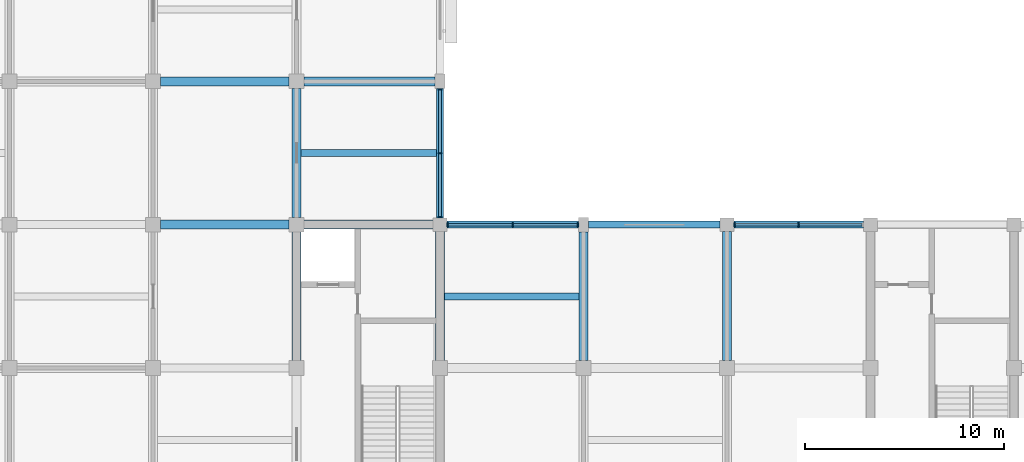
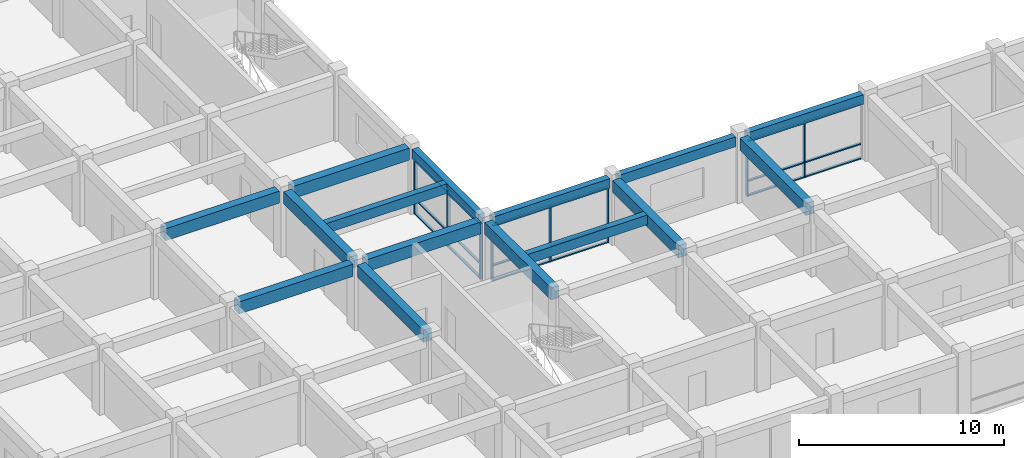
# One storey, part 8 of 31: 26 members, 15 beams, 3 elements without a shape of their own.
"""IFC4 building model written with IfcOpenShell, lengths in metres."""

from ifc_helpers import new_model, si_unit, direction, frame, origin, origin_2d, place, context, subcontext, project, spatial, rectangle, extrude, material, layer, layer_set, material_profile, profile_set, type_object, element, aggregate, save


model = new_model("IFC4")

# Units and contexts
model_context = context("Model", 3, precision=1e-05, world=origin(), true_north=direction((0.0, 1.0)))
body_context = subcontext(model_context, "Body", "Model", "MODEL_VIEW")
ifc_project = project(units=[si_unit("LENGTHUNIT", "METRE"), si_unit("AREAUNIT", "SQUARE_METRE"), si_unit("VOLUMEUNIT", "CUBIC_METRE"), si_unit("PLANEANGLEUNIT", "RADIAN"), si_unit("MASSUNIT", "GRAM", prefix="KILO")], contexts=[model_context])

# Site, building, storey
site_placement = place(None, origin())
site = spatial("IfcSite", under=ifc_project, at=site_placement, CompositionType="ELEMENT")
building_placement = place(site_placement, origin())
building = spatial("IfcBuilding", under=site, at=building_placement, Name="Cendaluz Park School", CompositionType="ELEMENT")
storey_placement = place(building_placement, frame((0.0, 0.0, 14.39990234375)))
storey = spatial("IfcBuildingStorey", under=building, at=storey_placement, Name="L03", CompositionType="ELEMENT", Elevation=14.39990234375)

# Beams
ifc_material_1 = material(Name="Concrete C40/50", Category="concrete")
ifc_material_profile_1 = material_profile(ifc_material_1, rectangle(XDim=0.449951171875, YDim=0.719970703125, at=origin_2d()), Name="RC 450x720", Category="concrete")
ifc_profile_set_1 = profile_set([ifc_material_profile_1], Name="Concrete C40/50")
beam_type_1 = type_object("IfcBeamType", Name="BM-RC02", PredefinedType="BEAM", material=ifc_profile_set_1)
for number, where, z_axis, x_axis, name in (
    (1, (93.97509765625, 28.800048828125, 3.530029296875), (1.0, 0.0, 0.0), (0.0, 1.0, 0.0), "BM-L03-BMRC02-0069"),
    (2, (93.97509765625, 36.0, 3.530029296875), (1.0, 0.0, 0.0), (0.0, 1.0, 0.0), "BM-L03-BMRC02-0070"),
):
    element("IfcBeam", number, at=place(storey_placement, frame(where, z_axis=z_axis, x_axis=x_axis)), inside=storey, type_object=beam_type_1, Name=name, PredefinedType="BEAM", context=body_context, shape_type="SweptSolid", body=[
        extrude(rectangle(XDim=0.449951171875, YDim=0.719970703125, at=origin_2d()), origin(), (0.0, 0.0, 1.0), 6.449951171875),
    ])
beam_1_placement = place(storey_placement, frame((101.175048828125, 28.800048828125, 3.530029296875), z_axis=(1.0, 0.0, 0.0), x_axis=(0.0, 1.0, 0.0)))
element("IfcBeam", 3, at=beam_1_placement, inside=storey, type_object=beam_type_1, Name="BM-L03-BMRC02-0078", PredefinedType="BEAM", context=body_context, shape_type="SweptSolid", body=[
    extrude(rectangle(XDim=0.449951171875, YDim=0.719970703125, at=origin_2d()), origin(), (0.0, 0.0, 1.0), 6.474853515625),
])
beam_2_placement = place(storey_placement, frame((101.175048828125, 36.0, 3.530029296875), z_axis=(1.0, 0.0, 0.0), x_axis=(0.0, 1.0, 0.0)))
element("IfcBeam", 4, at=beam_2_placement, inside=storey, type_object=beam_type_1, Name="BM-L03-BMRC02-0079", PredefinedType="BEAM", context=body_context, shape_type="SweptSolid", body=[
    extrude(rectangle(XDim=0.449951171875, YDim=0.719970703125, at=origin_2d()), origin(), (0.0, 0.0, 1.0), 6.574951171875),
])
for number, where, z_axis, x_axis, name in (
    (5, (100.800048828125, 21.97509765625, 3.530029296875), (0.0, 1.0, 0.0), (-1.0, 0.0, 0.0), "BM-L03-BMRC02-0179"),
    (6, (100.800048828125, 29.175048828125, 3.530029296875), (0.0, 1.0, 0.0), (-1.0, 0.0, 0.0), "BM-L03-BMRC02-0180"),
):
    element("IfcBeam", number, at=place(storey_placement, frame(where, z_axis=z_axis, x_axis=x_axis)), inside=storey, type_object=beam_type_1, Name=name, PredefinedType="BEAM", context=body_context, shape_type="SweptSolid", body=[
        extrude(rectangle(XDim=0.449951171875, YDim=0.719970703125, at=origin_2d()), origin(), (0.0, 0.0, 1.0), 6.449951171875),
    ])
beam_3_placement = place(storey_placement, frame((108.0, 21.97509765625, 3.530029296875), z_axis=(0.0, 1.0, 0.0), x_axis=(-1.0, 0.0, 0.0)))
element("IfcBeam", 7, at=beam_3_placement, inside=storey, type_object=beam_type_1, Name="BM-L03-BMRC02-0188", PredefinedType="BEAM", context=body_context, shape_type="SweptSolid", body=[
    extrude(rectangle(XDim=0.449951171875, YDim=0.719970703125, at=origin_2d()), origin(), (0.0, 0.0, 1.0), 6.474853515625),
])
beam_4_placement = place(storey_placement, frame((115.199951171875, 21.97509765625, 3.530029296875), z_axis=(0.0, 1.0, 0.0), x_axis=(-1.0, 0.0, 0.0)))
element("IfcBeam", 8, at=beam_4_placement, inside=storey, type_object=beam_type_1, Name="BM-L03-BMRC02-0197", PredefinedType="BEAM", context=body_context, shape_type="SweptSolid", body=[
    extrude(rectangle(XDim=0.449951171875, YDim=0.719970703125, at=origin_2d()), origin(), (0.0, 0.0, 1.0), 6.449951171875),
])
beam_5_placement = place(storey_placement, frame((122.39990234375, 21.97509765625, 3.530029296875), z_axis=(0.0, 1.0, 0.0), x_axis=(-1.0, 0.0, 0.0)))
element("IfcBeam", 9, at=beam_5_placement, inside=storey, type_object=beam_type_1, Name="BM-L03-BMRC02-0200", PredefinedType="BEAM", context=body_context, shape_type="SweptSolid", body=[
    extrude(rectangle(XDim=0.449951171875, YDim=0.719970703125, at=origin_2d()), origin(), (0.0, 0.0, 1.0), 6.474853515625),
])
ifc_material_profile_2 = material_profile(ifc_material_1, rectangle(XDim=0.35009765625, YDim=0.580078125, at=origin_2d()), Name="RC 350x580", Category="concrete")
ifc_profile_set_2 = profile_set([ifc_material_profile_2], Name="Concrete C40/50")
beam_type_2 = type_object("IfcBeamType", Name="BM-RC04", PredefinedType="LINTEL", material=ifc_profile_set_2)
beam_6_placement = place(storey_placement, frame((108.35009765625, 28.800048828125, 3.60009765625), z_axis=(1.0, 0.0, 0.0), x_axis=(0.0, 1.0, 0.0)))
element("IfcBeam", 10, at=beam_6_placement, inside=storey, type_object=beam_type_2, Name="BM-L03-BMRC04-0087", PredefinedType="LINTEL", context=body_context, shape_type="SweptSolid", body=[
    extrude(rectangle(XDim=0.35009765625, YDim=0.580078125, at=origin_2d()), origin(), (0.0, 0.0, 1.0), 6.599853515625),
])
beam_7_placement = place(storey_placement, frame((115.449951171875, 28.800048828125, 3.60009765625), z_axis=(1.0, 0.0, 0.0), x_axis=(0.0, 1.0, 0.0)))
element("IfcBeam", 11, at=beam_7_placement, inside=storey, type_object=beam_type_2, Name="BM-L03-BMRC04-0091", PredefinedType="LINTEL", context=body_context, shape_type="SweptSolid", body=[
    extrude(rectangle(XDim=0.35009765625, YDim=0.580078125, at=origin_2d()), origin(), (0.0, 0.0, 1.0), 6.60009765625),
])
beam_8_placement = place(storey_placement, frame((122.75, 28.800048828125, 3.60009765625), z_axis=(1.0, 0.0, 0.0), x_axis=(0.0, 1.0, 0.0)))
element("IfcBeam", 12, at=beam_8_placement, inside=storey, type_object=beam_type_2, Name="BM-L03-BMRC04-0095", PredefinedType="LINTEL", context=body_context, shape_type="SweptSolid", body=[
    extrude(rectangle(XDim=0.35009765625, YDim=0.580078125, at=origin_2d()), origin(), (0.0, 0.0, 1.0), 6.5),
])
beam_9_placement = place(storey_placement, frame((108.0, 29.14990234375, 3.60009765625), z_axis=(0.0, 1.0, 0.0), x_axis=(-1.0, 0.0, 0.0)))
element("IfcBeam", 13, at=beam_9_placement, inside=storey, type_object=beam_type_2, Name="BM-L03-BMRC04-0189", PredefinedType="LINTEL", context=body_context, shape_type="SweptSolid", body=[
    extrude(rectangle(XDim=0.35009765625, YDim=0.580078125, at=origin_2d()), origin(), (0.0, 0.0, 1.0), 6.47509765625),
])

# Curtain wall, members
ifc_material_2 = material(Name="Anodised Aluminium 6063-T6", Category="aluminium")
ifc_layer_1 = layer(ifc_material_2, 0.179931640625)
ifc_layer_set_1 = layer_set([ifc_layer_1], Name="Anodised Aluminium 6063-T6")
curtain_wall_type_1 = type_object("IfcCurtainWallType", Name="CW-130x66", PredefinedType="NOTDEFINED", material=ifc_layer_set_1)
curtain_wall_1_placement = place(storey_placement, origin())
curtain_wall_1 = element("IfcCurtainWall", 14, at=curtain_wall_1_placement, inside=storey, type_object=curtain_wall_type_1, Name="CW-L03-149", PredefinedType="NOTDEFINED")
ifc_material_profile_3 = material_profile(ifc_material_2, rectangle(XDim=0.179931640625, YDim=0.070068359375, at=origin_2d()), Name="CWM 180x70", Category="aluminium")
ifc_profile_set_3 = profile_set([ifc_material_profile_3], Name="Anodised Aluminium 6063-T6")
member_type_1 = type_object("IfcMemberType", Name="CWM-01", PredefinedType="MULLION", material=ifc_profile_set_3)
member_1_placement = place(storey_placement, frame((108.0, 29.18505859375, 0.0), z_axis=(0.0, 0.0, 1.0), x_axis=(-1.0, 0.0, 0.0)))
member_1 = element("IfcMember", 15, at=member_1_placement, type_object=member_type_1, Name="CP-L03-1925", PredefinedType="MULLION", context=body_context, shape_type="SweptSolid", body=[
    extrude(rectangle(XDim=0.179931640625, YDim=0.070068359375, at=origin_2d()), origin(), (0.0, 0.0, 1.0), 3.31005859375),
])
member_2_placement = place(storey_placement, frame((108.0, 32.387451171875, 0.0), z_axis=(0.0, 0.0, 1.0), x_axis=(-1.0, 0.0, 0.0)))
member_2 = element("IfcMember", 16, at=member_2_placement, type_object=member_type_1, Name="CP-L03-1926", PredefinedType="MULLION", context=body_context, shape_type="SweptSolid", body=[
    extrude(rectangle(XDim=0.179931640625, YDim=0.070068359375, at=origin_2d()), origin(), (0.0, 0.0, 1.0), 3.31005859375),
])
member_3_placement = place(storey_placement, frame((108.0, 35.590087890625, 0.0), z_axis=(0.0, 0.0, 1.0), x_axis=(-1.0, 0.0, 0.0)))
member_3 = element("IfcMember", 17, at=member_3_placement, type_object=member_type_1, Name="CP-L03-1927", PredefinedType="MULLION", context=body_context, shape_type="SweptSolid", body=[
    extrude(rectangle(XDim=0.179931640625, YDim=0.070068359375, at=origin_2d()), origin(), (0.0, 0.0, 1.0), 3.31005859375),
])

ifc_layer_2 = layer(ifc_material_2, 0.179931640625)
ifc_layer_set_2 = layer_set([ifc_layer_2], Name="Anodised Aluminium 6063-T6")
curtain_wall_type_2 = type_object("IfcCurtainWallType", Name="CW-132x66", PredefinedType="NOTDEFINED", material=ifc_layer_set_2)
curtain_wall_2_placement = place(storey_placement, origin())
curtain_wall_2 = element("IfcCurtainWall", 18, at=curtain_wall_2_placement, inside=storey, type_object=curtain_wall_type_2, Name="CW-L03-153", PredefinedType="NOTDEFINED")
member_4_placement = place(storey_placement, frame((108.385009765625, 28.800048828125, 0.0), z_axis=(0.0, 0.0, 1.0), x_axis=(0.0, 1.0, 0.0)))
member_4 = element("IfcMember", 19, at=member_4_placement, type_object=member_type_1, Name="CP-L03-1977", PredefinedType="MULLION", context=body_context, shape_type="SweptSolid", body=[
    extrude(rectangle(XDim=0.179931640625, YDim=0.070068359375, at=origin_2d()), origin(), (0.0, 0.0, 1.0), 3.31005859375),
])
member_5_placement = place(storey_placement, frame((111.64990234375, 28.800048828125, 0.0), z_axis=(0.0, 0.0, 1.0), x_axis=(0.0, 1.0, 0.0)))
member_5 = element("IfcMember", 20, at=member_5_placement, type_object=member_type_1, Name="CP-L03-1978", PredefinedType="MULLION", context=body_context, shape_type="SweptSolid", body=[
    extrude(rectangle(XDim=0.179931640625, YDim=0.070068359375, at=origin_2d()), origin(), (0.0, 0.0, 1.0), 3.31005859375),
])
member_6_placement = place(storey_placement, frame((114.9150390625, 28.800048828125, 0.0), z_axis=(0.0, 0.0, 1.0), x_axis=(0.0, 1.0, 0.0)))
member_6 = element("IfcMember", 21, at=member_6_placement, type_object=member_type_1, Name="CP-L03-1979", PredefinedType="MULLION", context=body_context, shape_type="SweptSolid", body=[
    extrude(rectangle(XDim=0.179931640625, YDim=0.070068359375, at=origin_2d()), origin(), (0.0, 0.0, 1.0), 3.31005859375),
])

curtain_wall_3_placement = place(storey_placement, origin())
curtain_wall_3 = element("IfcCurtainWall", 22, at=curtain_wall_3_placement, inside=storey, type_object=curtain_wall_type_1, Name="CW-L03-155", PredefinedType="NOTDEFINED")
member_7_placement = place(storey_placement, frame((122.784912109375, 28.800048828125, 0.0), z_axis=(0.0, 0.0, 1.0), x_axis=(0.0, 1.0, 0.0)))
member_7 = element("IfcMember", 23, at=member_7_placement, type_object=member_type_1, Name="CP-L03-2003", PredefinedType="MULLION", context=body_context, shape_type="SweptSolid", body=[
    extrude(rectangle(XDim=0.179931640625, YDim=0.070068359375, at=origin_2d()), origin(), (0.0, 0.0, 1.0), 3.31005859375),
])
member_8_placement = place(storey_placement, frame((126.0, 28.800048828125, 0.0), z_axis=(0.0, 0.0, 1.0), x_axis=(0.0, 1.0, 0.0)))
member_8 = element("IfcMember", 24, at=member_8_placement, type_object=member_type_1, Name="CP-L03-2004", PredefinedType="MULLION", context=body_context, shape_type="SweptSolid", body=[
    extrude(rectangle(XDim=0.179931640625, YDim=0.070068359375, at=origin_2d()), origin(), (0.0, 0.0, 1.0), 3.31005859375),
])

# Member
ifc_material_profile_4 = material_profile(ifc_material_2, rectangle(XDim=0.139892578125, YDim=0.070068359375, at=origin_2d()), Name="CWT 140x70", Category="aluminium")
ifc_profile_set_4 = profile_set([ifc_material_profile_4], Name="Anodised Aluminium 6063-T6")
member_type_2 = type_object("IfcMemberType", Name="CWT-01", PredefinedType="USERDEFINED", material=ifc_profile_set_4)
member_9_placement = place(storey_placement, frame((108.0, 29.219970703125, 0.03515625), z_axis=(0.0, 1.0, 0.0), x_axis=(-1.0, 0.0, 0.0)))
member_9 = element("IfcMember", 25, at=member_9_placement, type_object=member_type_2, Name="CP-L03-1928", ObjectType="TRANSOM", PredefinedType="USERDEFINED", context=body_context, shape_type="SweptSolid", body=[
    extrude(rectangle(XDim=0.139892578125, YDim=0.070068359375, at=origin_2d()), origin(), (0.0, 0.0, 1.0), 3.132568359375),
])

member_10_placement = place(storey_placement, frame((108.0, 29.219970703125, 0.900146484375), z_axis=(0.0, 1.0, 0.0), x_axis=(-1.0, 0.0, 0.0)))
member_10 = element("IfcMember", 26, at=member_10_placement, type_object=member_type_2, Name="CP-L03-1929", ObjectType="TRANSOM", PredefinedType="USERDEFINED", context=body_context, shape_type="SweptSolid", body=[
    extrude(rectangle(XDim=0.139892578125, YDim=0.070068359375, at=origin_2d()), origin(), (0.0, 0.0, 1.0), 3.132568359375),
])

member_11_placement = place(storey_placement, frame((108.0, 29.219970703125, 3.275146484375), z_axis=(0.0, 1.0, 0.0), x_axis=(-1.0, 0.0, 0.0)))
member_11 = element("IfcMember", 27, at=member_11_placement, type_object=member_type_2, Name="CP-L03-1930", ObjectType="TRANSOM", PredefinedType="USERDEFINED", context=body_context, shape_type="SweptSolid", body=[
    extrude(rectangle(XDim=0.139892578125, YDim=0.070068359375, at=origin_2d()), origin(), (0.0, 0.0, 1.0), 3.132568359375),
])

member_12_placement = place(storey_placement, frame((108.0, 32.422607421875, 0.03515625), z_axis=(0.0, 1.0, 0.0), x_axis=(-1.0, 0.0, 0.0)))
member_12 = element("IfcMember", 28, at=member_12_placement, type_object=member_type_2, Name="CP-L03-1933", ObjectType="TRANSOM", PredefinedType="USERDEFINED", context=body_context, shape_type="SweptSolid", body=[
    extrude(rectangle(XDim=0.139892578125, YDim=0.070068359375, at=origin_2d()), origin(), (0.0, 0.0, 1.0), 3.13232421875),
])

member_13_placement = place(storey_placement, frame((108.0, 32.422607421875, 0.900146484375), z_axis=(0.0, 1.0, 0.0), x_axis=(-1.0, 0.0, 0.0)))
member_13 = element("IfcMember", 29, at=member_13_placement, type_object=member_type_2, Name="CP-L03-1934", ObjectType="TRANSOM", PredefinedType="USERDEFINED", context=body_context, shape_type="SweptSolid", body=[
    extrude(rectangle(XDim=0.139892578125, YDim=0.070068359375, at=origin_2d()), origin(), (0.0, 0.0, 1.0), 3.13232421875),
])

member_14_placement = place(storey_placement, frame((108.0, 32.422607421875, 3.275146484375), z_axis=(0.0, 1.0, 0.0), x_axis=(-1.0, 0.0, 0.0)))
member_14 = element("IfcMember", 30, at=member_14_placement, type_object=member_type_2, Name="CP-L03-1935", ObjectType="TRANSOM", PredefinedType="USERDEFINED", context=body_context, shape_type="SweptSolid", body=[
    extrude(rectangle(XDim=0.139892578125, YDim=0.070068359375, at=origin_2d()), origin(), (0.0, 0.0, 1.0), 3.13232421875),
])

aggregate(curtain_wall_1, [member_1, member_2, member_3, member_9, member_10, member_11, member_12, member_13, member_14])

member_15_placement = place(storey_placement, frame((108.419921875, 28.800048828125, 0.03515625), z_axis=(1.0, 0.0, 0.0), x_axis=(0.0, 1.0, 0.0)))
member_15 = element("IfcMember", 31, at=member_15_placement, type_object=member_type_2, Name="CP-L03-1980", ObjectType="TRANSOM", PredefinedType="USERDEFINED", context=body_context, shape_type="SweptSolid", body=[
    extrude(rectangle(XDim=0.139892578125, YDim=0.070068359375, at=origin_2d()), origin(), (0.0, 0.0, 1.0), 3.195068359375),
])

member_16_placement = place(storey_placement, frame((108.419921875, 28.800048828125, 0.900146484375), z_axis=(1.0, 0.0, 0.0), x_axis=(0.0, 1.0, 0.0)))
member_16 = element("IfcMember", 32, at=member_16_placement, type_object=member_type_2, Name="CP-L03-1981", ObjectType="TRANSOM", PredefinedType="USERDEFINED", context=body_context, shape_type="SweptSolid", body=[
    extrude(rectangle(XDim=0.139892578125, YDim=0.070068359375, at=origin_2d()), origin(), (0.0, 0.0, 1.0), 3.195068359375),
])

member_17_placement = place(storey_placement, frame((108.419921875, 28.800048828125, 3.275146484375), z_axis=(1.0, 0.0, 0.0), x_axis=(0.0, 1.0, 0.0)))
member_17 = element("IfcMember", 33, at=member_17_placement, type_object=member_type_2, Name="CP-L03-1982", ObjectType="TRANSOM", PredefinedType="USERDEFINED", context=body_context, shape_type="SweptSolid", body=[
    extrude(rectangle(XDim=0.139892578125, YDim=0.070068359375, at=origin_2d()), origin(), (0.0, 0.0, 1.0), 3.195068359375),
])

member_18_placement = place(storey_placement, frame((111.68505859375, 28.800048828125, 0.03515625), z_axis=(1.0, 0.0, 0.0), x_axis=(0.0, 1.0, 0.0)))
member_18 = element("IfcMember", 34, at=member_18_placement, type_object=member_type_2, Name="CP-L03-1985", ObjectType="TRANSOM", PredefinedType="USERDEFINED", context=body_context, shape_type="SweptSolid", body=[
    extrude(rectangle(XDim=0.139892578125, YDim=0.070068359375, at=origin_2d()), origin(), (0.0, 0.0, 1.0), 3.19482421875),
])

member_19_placement = place(storey_placement, frame((111.68505859375, 28.800048828125, 0.900146484375), z_axis=(1.0, 0.0, 0.0), x_axis=(0.0, 1.0, 0.0)))
member_19 = element("IfcMember", 35, at=member_19_placement, type_object=member_type_2, Name="CP-L03-1986", ObjectType="TRANSOM", PredefinedType="USERDEFINED", context=body_context, shape_type="SweptSolid", body=[
    extrude(rectangle(XDim=0.139892578125, YDim=0.070068359375, at=origin_2d()), origin(), (0.0, 0.0, 1.0), 3.19482421875),
])

member_20_placement = place(storey_placement, frame((111.68505859375, 28.800048828125, 3.275146484375), z_axis=(1.0, 0.0, 0.0), x_axis=(0.0, 1.0, 0.0)))
member_20 = element("IfcMember", 36, at=member_20_placement, type_object=member_type_2, Name="CP-L03-1987", ObjectType="TRANSOM", PredefinedType="USERDEFINED", context=body_context, shape_type="SweptSolid", body=[
    extrude(rectangle(XDim=0.139892578125, YDim=0.070068359375, at=origin_2d()), origin(), (0.0, 0.0, 1.0), 3.19482421875),
])

aggregate(curtain_wall_2, [member_4, member_5, member_6, member_15, member_16, member_17, member_18, member_19, member_20])

member_21_placement = place(storey_placement, frame((122.820068359375, 28.800048828125, 0.03515625), z_axis=(1.0, 0.0, 0.0), x_axis=(0.0, 1.0, 0.0)))
member_21 = element("IfcMember", 37, at=member_21_placement, type_object=member_type_2, Name="CP-L03-2006", ObjectType="TRANSOM", PredefinedType="USERDEFINED", context=body_context, shape_type="SweptSolid", body=[
    extrude(rectangle(XDim=0.139892578125, YDim=0.070068359375, at=origin_2d()), origin(), (0.0, 0.0, 1.0), 3.14501953125),
])

member_22_placement = place(storey_placement, frame((122.820068359375, 28.800048828125, 0.900146484375), z_axis=(1.0, 0.0, 0.0), x_axis=(0.0, 1.0, 0.0)))
member_22 = element("IfcMember", 38, at=member_22_placement, type_object=member_type_2, Name="CP-L03-2007", ObjectType="TRANSOM", PredefinedType="USERDEFINED", context=body_context, shape_type="SweptSolid", body=[
    extrude(rectangle(XDim=0.139892578125, YDim=0.070068359375, at=origin_2d()), origin(), (0.0, 0.0, 1.0), 3.14501953125),
])

member_23_placement = place(storey_placement, frame((122.820068359375, 28.800048828125, 3.275146484375), z_axis=(1.0, 0.0, 0.0), x_axis=(0.0, 1.0, 0.0)))
member_23 = element("IfcMember", 39, at=member_23_placement, type_object=member_type_2, Name="CP-L03-2008", ObjectType="TRANSOM", PredefinedType="USERDEFINED", context=body_context, shape_type="SweptSolid", body=[
    extrude(rectangle(XDim=0.139892578125, YDim=0.070068359375, at=origin_2d()), origin(), (0.0, 0.0, 1.0), 3.14501953125),
])

member_24_placement = place(storey_placement, frame((126.034912109375, 28.800048828125, 0.03515625), z_axis=(1.0, 0.0, 0.0), x_axis=(0.0, 1.0, 0.0)))
member_24 = element("IfcMember", 40, at=member_24_placement, type_object=member_type_2, Name="CP-L03-2011", ObjectType="TRANSOM", PredefinedType="USERDEFINED", context=body_context, shape_type="SweptSolid", body=[
    extrude(rectangle(XDim=0.139892578125, YDim=0.070068359375, at=origin_2d()), origin(), (0.0, 0.0, 1.0), 3.14501953125),
])

member_25_placement = place(storey_placement, frame((126.034912109375, 28.800048828125, 0.900146484375), z_axis=(1.0, 0.0, 0.0), x_axis=(0.0, 1.0, 0.0)))
member_25 = element("IfcMember", 41, at=member_25_placement, type_object=member_type_2, Name="CP-L03-2012", ObjectType="TRANSOM", PredefinedType="USERDEFINED", context=body_context, shape_type="SweptSolid", body=[
    extrude(rectangle(XDim=0.139892578125, YDim=0.070068359375, at=origin_2d()), origin(), (0.0, 0.0, 1.0), 3.14501953125),
])

member_26_placement = place(storey_placement, frame((126.034912109375, 28.800048828125, 3.275146484375), z_axis=(1.0, 0.0, 0.0), x_axis=(0.0, 1.0, 0.0)))
member_26 = element("IfcMember", 42, at=member_26_placement, type_object=member_type_2, Name="CP-L03-2013", ObjectType="TRANSOM", PredefinedType="USERDEFINED", context=body_context, shape_type="SweptSolid", body=[
    extrude(rectangle(XDim=0.139892578125, YDim=0.070068359375, at=origin_2d()), origin(), (0.0, 0.0, 1.0), 3.14501953125),
])

aggregate(curtain_wall_3, [member_7, member_8, member_21, member_22, member_23, member_24, member_25, member_26])

# Beams
ifc_material_profile_5 = material_profile(ifc_material_1, rectangle(XDim=0.35009765625, YDim=0.580078125, at=origin_2d()), Name="RC 350x580", Category="concrete")
ifc_profile_set_5 = profile_set([ifc_material_profile_5], Name="Concrete C40/50")
beam_type_3 = type_object("IfcBeamType", Name="JT-RC01", PredefinedType="JOIST", material=ifc_profile_set_5)
beam_10_placement = place(storey_placement, frame((101.02490234375, 32.39990234375, 3.60009765625), z_axis=(1.0, 0.0, 0.0), x_axis=(0.0, 1.0, 0.0)))
element("IfcBeam", 43, at=beam_10_placement, inside=storey, type_object=beam_type_3, Name="BM-L03-JTRC01-0237", PredefinedType="JOIST", context=body_context, shape_type="SweptSolid", body=[
    extrude(rectangle(XDim=0.35009765625, YDim=0.580078125, at=origin_2d()), origin(), (0.0, 0.0, 1.0), 6.800048828125),
])
beam_11_placement = place(storey_placement, frame((108.22509765625, 25.199951171875, 3.60009765625), z_axis=(1.0, 0.0, 0.0), x_axis=(0.0, 1.0, 0.0)))
element("IfcBeam", 44, at=beam_11_placement, inside=storey, type_object=beam_type_3, Name="BM-L03-JTRC01-0238", PredefinedType="JOIST", context=body_context, shape_type="SweptSolid", body=[
    extrude(rectangle(XDim=0.35009765625, YDim=0.580078125, at=origin_2d()), origin(), (0.0, 0.0, 1.0), 6.75),
])

save(model, "model.ifc")
